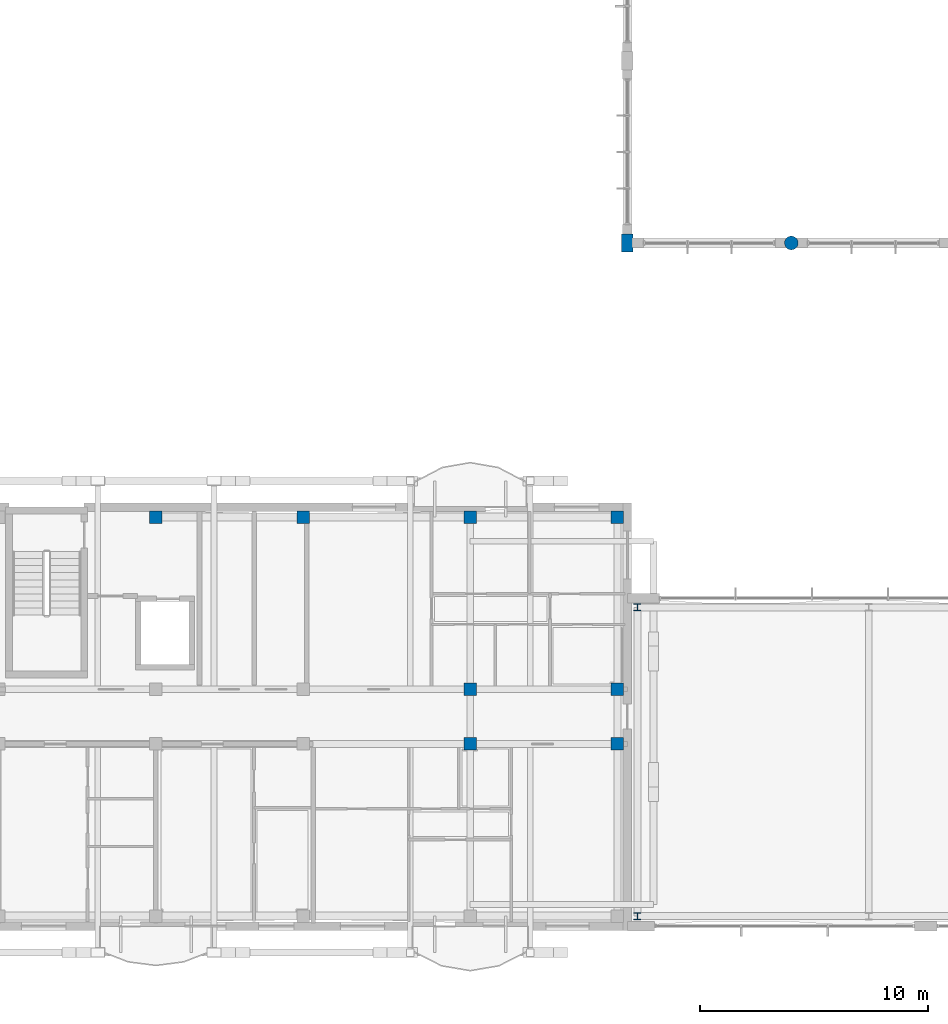
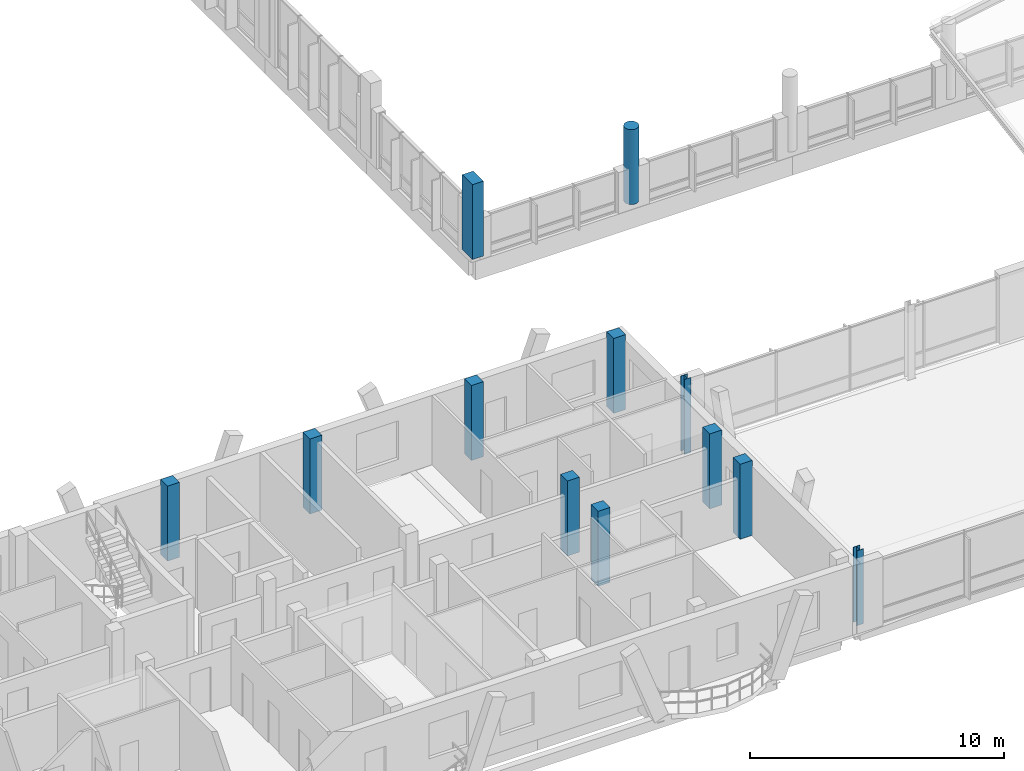
# One storey, part 2 of 189: 12 columns.
"""IFC4 building model written with IfcOpenShell, lengths in metres."""

from ifc_helpers import new_model, si_unit, direction, frame, origin, origin_2d, place, context, subcontext, project, spatial, rectangle, circle, i_section, extrude, material, material_profile, profile_set, type_object, element, save


model = new_model("IFC4")

# Units and contexts
model_context = context("Model", 3, precision=1e-05, world=origin(), true_north=direction((0.0, 1.0)))
body_context = subcontext(model_context, "Body", "Model", "MODEL_VIEW")
ifc_project = project(units=[si_unit("LENGTHUNIT", "METRE"), si_unit("AREAUNIT", "SQUARE_METRE"), si_unit("VOLUMEUNIT", "CUBIC_METRE"), si_unit("PLANEANGLEUNIT", "RADIAN"), si_unit("MASSUNIT", "GRAM", prefix="KILO")], contexts=[model_context])

# Site, building, storey
site_placement = place(None, origin())
site = spatial("IfcSite", under=ifc_project, at=site_placement, CompositionType="ELEMENT")
building_placement = place(site_placement, origin())
building = spatial("IfcBuilding", under=site, at=building_placement, Name="Zavelmont Quarter", CompositionType="ELEMENT")
storey_placement = place(building_placement, frame((0.0, 0.0, 4.39990234375)))
storey = spatial("IfcBuildingStorey", under=building, at=storey_placement, Name="L01", CompositionType="ELEMENT", Elevation=4.39990234375)

# Columns
ifc_material_1 = material(Name="Concrete C40/50", Category="concrete")
ifc_material_profile_1 = material_profile(ifc_material_1, rectangle(XDim=0.550048828125, YDim=0.550048828125, at=origin_2d()), Name="RC550X550")
ifc_profile_set_1 = profile_set([ifc_material_profile_1], Name="Concrete C40/50")
column_type_1 = type_object("IfcColumnType", Name="CL02", PredefinedType="COLUMN", material=ifc_profile_set_1)
for number, where, z_axis, x_axis, name in (
    (1, (34.5, 17.9599609375, 0.0), (0.0, 0.0, 1.0), (1.0, 0.0, 0.0), "L01 column CL02 at 6/D"),
    (2, (40.9599609375, 17.9599609375, 0.0), (0.0, 0.0, 1.0), (1.0, 0.0, 0.0), "L01 column CL02 at 7/D"),
    (3, (48.300048828125, 8.0, 0.0), (0.0, 0.0, 1.0), (1.0, 0.0, 0.0), "L01 column CL02 at 8/B"),
    (4, (48.300048828125, 10.39990234375, 0.0), (0.0, 0.0, 1.0), (1.0, 0.0, 0.0), "L01 column CL02 at 8/C"),
    (5, (48.300048828125, 17.9599609375, 0.0), (0.0, 0.0, 1.0), (1.0, 0.0, 0.0), "L01 column CL02 at 8/D"),
    (6, (54.760009765625, 8.0, 0.0), (0.0, 0.0, 1.0), (1.0, 0.0, 0.0), "L01 column CL02 at 9/B"),
    (7, (54.760009765625, 10.39990234375, 0.0), (0.0, 0.0, 1.0), (1.0, 0.0, 0.0), "L01 column CL02 at 9/C"),
    (8, (54.760009765625, 17.9599609375, 0.0), (0.0, 0.0, 1.0), (1.0, 0.0, 0.0), "L01 column CL02 at 9/D"),
):
    element("IfcColumn", number, at=place(storey_placement, frame(where, z_axis=z_axis, x_axis=x_axis)), inside=storey, type_object=column_type_1, Name=name, PredefinedType="COLUMN", context=body_context, shape_type="SweptSolid", body=[
        extrude(rectangle(XDim=0.550048828125, YDim=0.550048828125, at=origin_2d()), origin(), (0.0, 0.0, 1.0), 3.60009765625),
    ])
ifc_material_profile_2 = material_profile(ifc_material_1, rectangle(XDim=0.5, YDim=0.800048828125, at=origin_2d()), Name="RC500X800")
ifc_profile_set_2 = profile_set([ifc_material_profile_2], Name="Concrete C40/50")
column_type_2 = type_object("IfcColumnType", Name="CL07", PredefinedType="COLUMN", material=ifc_profile_set_2)
column_1_placement = place(storey_placement, frame((55.199951171875, 30.0, 0.0), z_axis=(0.0, 0.0, 1.0), x_axis=(1.0, 0.0, 0.0)))
element("IfcColumn", 9, at=column_1_placement, inside=storey, type_object=column_type_2, Name="L01 column CL07 at 9/F", PredefinedType="COLUMN", context=body_context, shape_type="SweptSolid", body=[
    extrude(rectangle(XDim=0.5, YDim=0.800048828125, at=origin_2d()), origin(), (0.0, 0.0, 1.0), 3.60009765625),
])
ifc_material_profile_3 = material_profile(ifc_material_1, circle(Radius=0.300048828125, at=origin_2d()), Name="CHD600")
ifc_profile_set_3 = profile_set([ifc_material_profile_3], Name="Concrete C40/50")
column_type_3 = type_object("IfcColumnType", Name="CL08", PredefinedType="COLUMN", material=ifc_profile_set_3)
column_2_placement = place(storey_placement, frame((62.39990234375, 30.0, 0.0), z_axis=(0.0, 0.0, 1.0), x_axis=(1.0, 0.0, 0.0)))
element("IfcColumn", 10, at=column_2_placement, inside=storey, type_object=column_type_3, Name="L01 column CL08 at 10/F", PredefinedType="COLUMN", context=body_context, shape_type="SweptSolid", body=[
    extrude(circle(Radius=0.300048828125, at=origin_2d()), origin(), (0.0, 0.0, 1.0), 3.60009765625),
])
ifc_material_2 = material(Name="Steel S355", Category="steel")
ifc_material_profile_4 = material_profile(ifc_material_2, i_section(OverallWidth=0.300048828125, OverallDepth=0.300048828125, WebThickness=0.010986328125, FlangeThickness=0.01904296875, at=origin_2d()), Name="HEB 300")
ifc_profile_set_4 = profile_set([ifc_material_profile_4], Name="Steel S355")
column_type_4 = type_object("IfcColumnType", Name="CL10", PredefinedType="COLUMN", material=ifc_profile_set_4)
for number, where, z_axis, x_axis, name in (
    (11, (55.639892578125, 0.43994140625, 0.0), (0.0, 0.0, 1.0), (1.0, 0.0, 0.0), "L01 column CL10 at 9/A"),
    (12, (55.639892578125, 14.0, 0.0), (0.0, 0.0, 1.0), (1.0, 0.0, 0.0), "L01 column CL10 at 9/C"),
):
    element("IfcColumn", number, at=place(storey_placement, frame(where, z_axis=z_axis, x_axis=x_axis)), inside=storey, type_object=column_type_4, Name=name, PredefinedType="COLUMN", context=body_context, shape_type="SweptSolid", body=[
        extrude(i_section(OverallWidth=0.300048828125, OverallDepth=0.300048828125, WebThickness=0.010986328125, FlangeThickness=0.01904296875, at=origin_2d()), origin(), (0.0, 0.0, 1.0), 3.60009765625),
    ])

save(model, "model.ifc")
